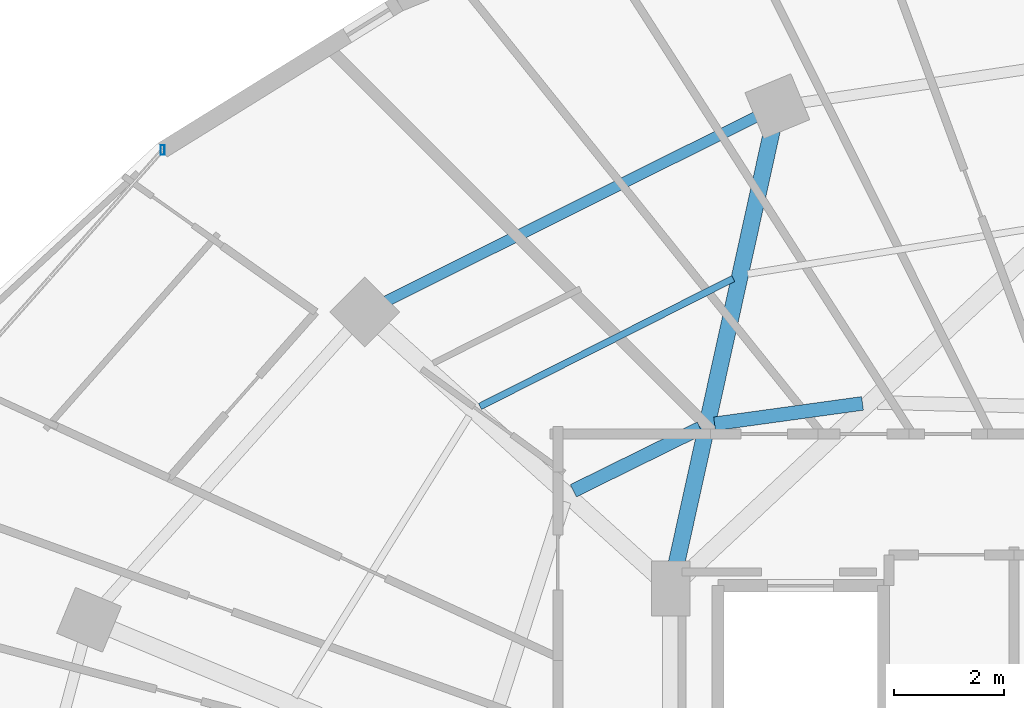
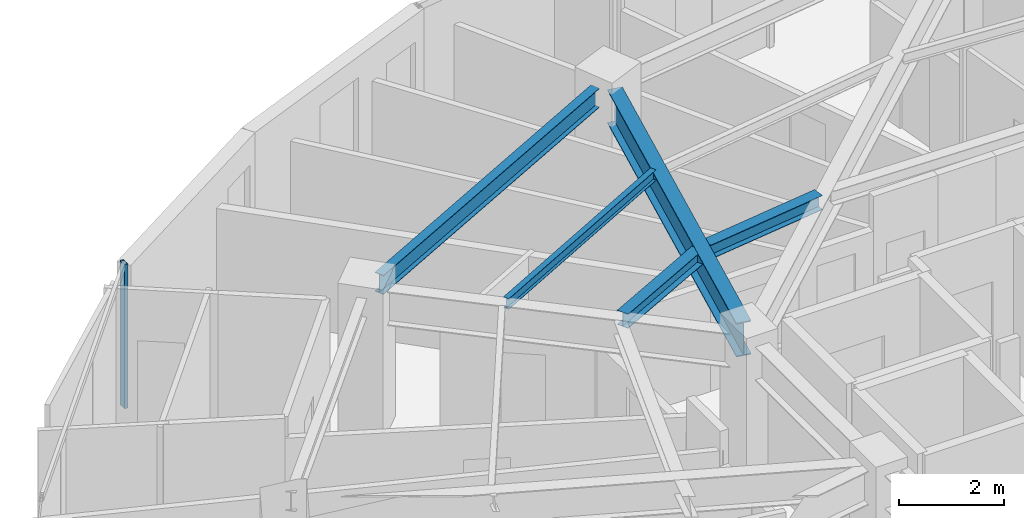
# One storey, part 17 of 33: 5 beams, 1 member, 1 element without a shape of its own.
"""IFC4 building model written with IfcOpenShell, lengths in metres."""

from ifc_helpers import new_model, si_unit, direction, frame, origin, origin_2d, place, context, subcontext, project, spatial, hollow_rectangle, i_section, extrude, material, material_profile, profile_set, type_object, element, aggregate, save


model = new_model("IFC4")

# Units and contexts
model_context = context("Model", 3, precision=1e-05, world=origin(), true_north=direction((0.0, 1.0)))
body_context = subcontext(model_context, "Body", "Model", "MODEL_VIEW")
ifc_project = project(units=[si_unit("LENGTHUNIT", "METRE"), si_unit("AREAUNIT", "SQUARE_METRE"), si_unit("VOLUMEUNIT", "CUBIC_METRE"), si_unit("PLANEANGLEUNIT", "RADIAN"), si_unit("MASSUNIT", "GRAM", prefix="KILO")], contexts=[model_context])

# Site, building, storey
site_placement = place(None, origin())
site = spatial("IfcSite", under=ifc_project, at=site_placement, CompositionType="ELEMENT")
building_placement = place(site_placement, origin())
building = spatial("IfcBuilding", under=site, at=building_placement, Name="Vorneva Point Tower", CompositionType="ELEMENT")
storey_placement = place(building_placement, frame((0.0, 0.0, 200.10009765625)))
storey = spatial("IfcBuildingStorey", under=building, at=storey_placement, Name="L54", CompositionType="ELEMENT", Elevation=200.10009765625)

# Beams
ifc_material_1 = material(Name="Steel S355", Category="steel")
ifc_material_profile_1 = material_profile(ifc_material_1, i_section(OverallWidth=0.300048828125, OverallDepth=0.7880859375, WebThickness=0.014404296875, FlangeThickness=0.02197265625, at=origin_2d()), Name="80Sh1")
ifc_profile_set_1 = profile_set([ifc_material_profile_1], Name="Steel S355")
beam_type_1 = type_object("IfcBeamType", Name="BM-GRD-80Sh1", PredefinedType="USERDEFINED", material=ifc_profile_set_1)
beam_1_placement = place(storey_placement, frame((29.084716796875, 41.462890625, 2.89599609375), z_axis=(-0.215522758292, -0.976498817541, 0.0), x_axis=(0.976498817541, -0.215522758292, 0.0)))
element("IfcBeam", 1, at=beam_1_placement, inside=storey, type_object=beam_type_1, Name="L54 Radial Primary Girder 06", ObjectType="GIRDER", PredefinedType="USERDEFINED", context=body_context, shape_type="SweptSolid", body=[
    extrude(i_section(OverallWidth=0.300048828125, OverallDepth=0.7880859375, WebThickness=0.014404296875, FlangeThickness=0.02197265625, at=origin_2d()), origin(), (0.0, 0.0, 1.0), 8.173095703125),
])
ifc_material_profile_2 = material_profile(ifc_material_1, i_section(OverallWidth=0.1240234375, OverallDepth=0.248046875, WebThickness=0.0048828125, FlangeThickness=0.008056640625, at=origin_2d()), Name="25B1")
ifc_profile_set_2 = profile_set([ifc_material_profile_2], Name="Steel S355")
beam_type_2 = type_object("IfcBeamType", Name="BM-JST-25B1", PredefinedType="JOIST", material=ifc_profile_set_2)
beam_2_placement = place(storey_placement, frame((28.38037109375, 38.76708984375, 3.166015625), z_axis=(-0.892634985647, -0.450780192997, 0.0), x_axis=(0.450780192997, -0.892634985647, 0.0)))
element("IfcBeam", 2, at=beam_2_placement, inside=storey, type_object=beam_type_2, Name="L54 Secondary Floor Beam 1.06", PredefinedType="JOIST", context=body_context, shape_type="SweptSolid", body=[
    extrude(i_section(OverallWidth=0.1240234375, OverallDepth=0.248046875, WebThickness=0.0048828125, FlangeThickness=0.008056640625, at=origin_2d()), origin(), (0.0, 0.0, 1.0), 5.142333984375),
])
ifc_material_profile_3 = material_profile(ifc_material_1, i_section(OverallWidth=0.2490234375, OverallDepth=0.333984375, WebThickness=0.008056640625, FlangeThickness=0.010986328125, at=origin_2d()), Name="35Sh1")
ifc_profile_set_3 = profile_set([ifc_material_profile_3], Name="Steel S355")
beam_type_3 = type_object("IfcBeamType", Name="BM-SEC-35Sh1", PredefinedType="BEAM", material=ifc_profile_set_3)
beam_3_placement = place(storey_placement, frame((30.7216796875, 36.50439453125, 3.122802734375), z_axis=(-0.990613125996, -0.136695408132, 0.0), x_axis=(0.136695408132, -0.990613125996, 0.0)))
element("IfcBeam", 3, at=beam_3_placement, inside=storey, type_object=beam_type_3, Name="L54 Secondary Floor Beam 2.05", PredefinedType="BEAM", context=body_context, shape_type="SweptSolid", body=[
    extrude(i_section(OverallWidth=0.2490234375, OverallDepth=0.333984375, WebThickness=0.008056640625, FlangeThickness=0.010986328125, at=origin_2d()), origin(), (0.0, 0.0, 1.0), 2.705810546875),
])
beam_4_placement = place(storey_placement, frame((27.78076171875, 36.0546875, 3.122802734375), z_axis=(-0.896926742139, -0.442179170965, 0.0), x_axis=(0.442179170965, -0.896926742139, 0.0)))
element("IfcBeam", 4, at=beam_4_placement, inside=storey, type_object=beam_type_3, Name="L54 Secondary Floor Beam 2.06", PredefinedType="BEAM", context=body_context, shape_type="SweptSolid", body=[
    extrude(i_section(OverallWidth=0.2490234375, OverallDepth=0.333984375, WebThickness=0.008056640625, FlangeThickness=0.010986328125, at=origin_2d()), origin(), (0.0, 0.0, 1.0), 2.564208984375),
])
ifc_material_profile_4 = material_profile(ifc_material_1, i_section(OverallWidth=0.198974609375, OverallDepth=0.446044921875, WebThickness=0.008056640625, FlangeThickness=0.011962890625, at=origin_2d()), Name="45B1")
ifc_profile_set_4 = profile_set([ifc_material_profile_4], Name="Steel S355")
beam_type_4 = type_object("IfcBeamType", Name="BM-SPN-45B1", PredefinedType="SPANDREL", material=ifc_profile_set_4)
beam_5_placement = place(storey_placement, frame((28.789794921875, 41.696533203125, 3.06689453125), z_axis=(-0.894922371084, -0.446221861559, 0.0), x_axis=(0.446221861559, -0.894922371084, 0.0)))
element("IfcBeam", 5, at=beam_5_placement, inside=storey, type_object=beam_type_4, Name="L54 Perimeter Spandrel Ring Beam 06", PredefinedType="SPANDREL", context=body_context, shape_type="SweptSolid", body=[
    extrude(i_section(OverallWidth=0.198974609375, OverallDepth=0.446044921875, WebThickness=0.008056640625, FlangeThickness=0.011962890625, at=origin_2d()), origin(), (0.0, 0.0, 1.0), 7.48583984375),
])

# Curtain wall, member
ifc_material_2 = material(Name="Pale anodised aluminium", Category="aluminium")
curtain_wall_type = type_object("IfcCurtainWallType", Name="CW-RES-SYS", PredefinedType="NOTDEFINED", material=ifc_material_2)
curtain_wall_placement = place(storey_placement, origin())
curtain_wall = element("IfcCurtainWall", 6, at=curtain_wall_placement, inside=storey, type_object=curtain_wall_type, Name="L54 Unitised Curtain Wall CW-L54-R02", PredefinedType="NOTDEFINED")
ifc_material_profile_5 = material_profile(ifc_material_2, hollow_rectangle(XDim=0.074951171875, YDim=0.179931640625, WallThickness=0.00390625, at=origin_2d()), Name="AL-MUL 180x75x4")
ifc_profile_set_5 = profile_set([ifc_material_profile_5], Name="Pale anodised aluminium")
member_type = type_object("IfcMemberType", Name="CW-MUL-180", PredefinedType="MULLION", material=ifc_profile_set_5)
member_placement = place(storey_placement, frame((18.038330078125, 41.0966796875, -0.0400390625), z_axis=(0.0, 0.0, 1.0), x_axis=(1.0, 0.0, 0.0)))
member = element("IfcMember", 7, at=member_placement, type_object=member_type, Name="CW-L54-R02 Mullion 01", PredefinedType="MULLION", context=body_context, shape_type="SweptSolid", body=[
    extrude(hollow_rectangle(XDim=0.074951171875, YDim=0.179931640625, WallThickness=0.00390625, at=origin_2d()), origin(), (0.0, 0.0, 1.0), 3.35986328125),
])
aggregate(curtain_wall, [member])

save(model, "model.ifc")
